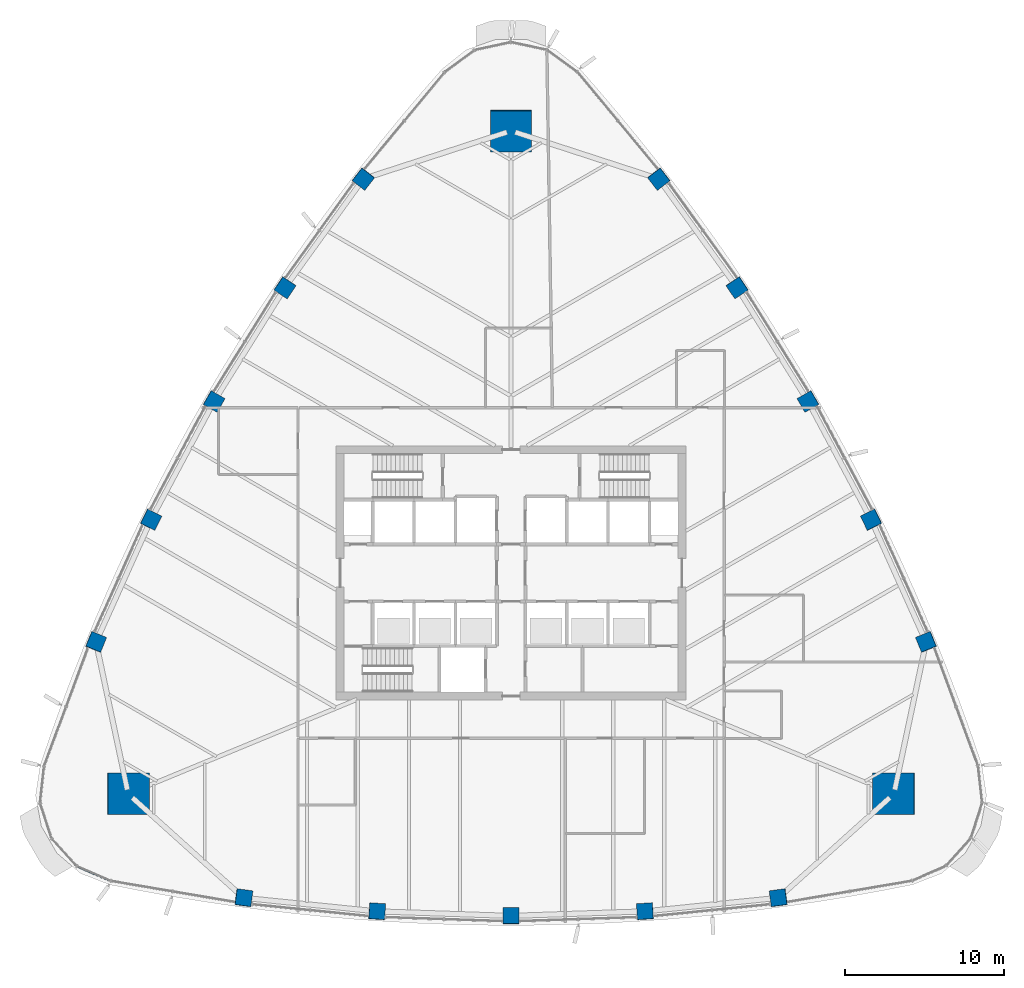
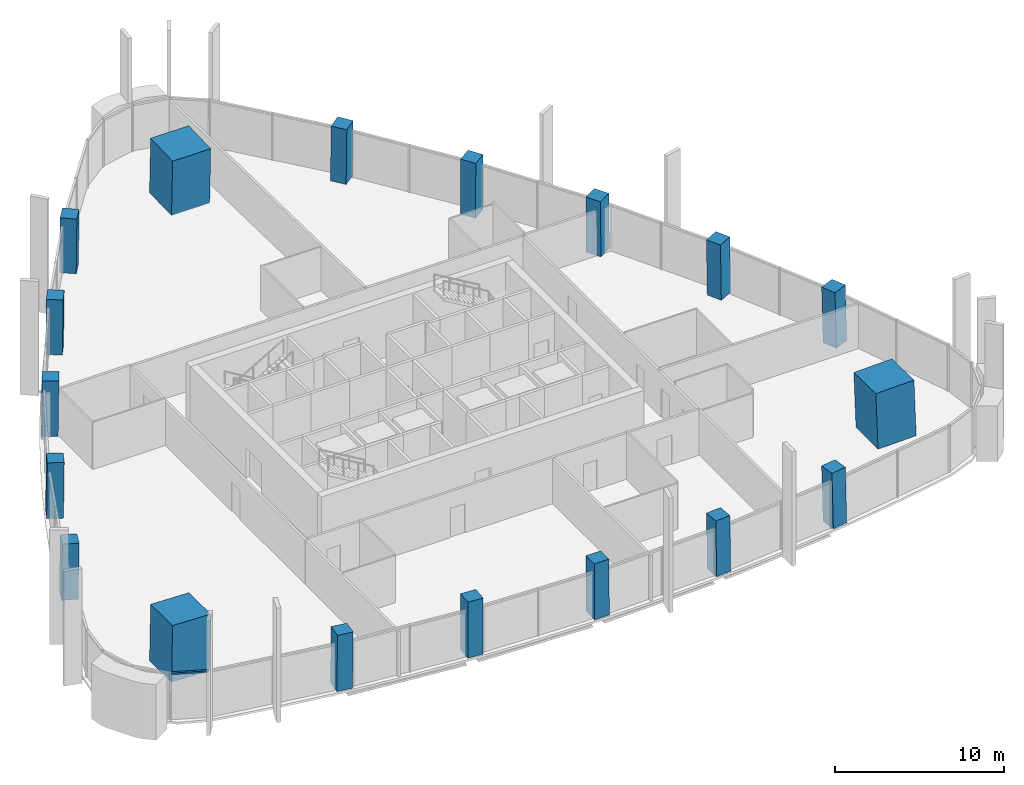
# One storey, part 1 of 20: 18 columns, 1 member, 1 element without a shape of its own.
"""IFC4 building model written with IfcOpenShell, lengths in metres."""

from ifc_helpers import new_model, si_unit, direction, frame, origin, origin_2d, place, context, subcontext, project, spatial, rectangle, extrude, material, layer, layer_set, material_profile, profile_set, type_object, element, aggregate, save


model = new_model("IFC4")

# Units and contexts
model_context = context("Model", 3, precision=1e-05, world=origin(), true_north=direction((0.0, 1.0)))
body_context = subcontext(model_context, "Body", "Model", "MODEL_VIEW")
ifc_project = project(units=[si_unit("LENGTHUNIT", "METRE"), si_unit("AREAUNIT", "SQUARE_METRE"), si_unit("VOLUMEUNIT", "CUBIC_METRE"), si_unit("PLANEANGLEUNIT", "RADIAN"), si_unit("MASSUNIT", "GRAM", prefix="KILO")], contexts=[model_context])

# Site, building, storey
site_placement = place(None, origin())
site = spatial("IfcSite", under=ifc_project, at=site_placement, CompositionType="ELEMENT")
building_placement = place(site_placement, origin())
building = spatial("IfcBuilding", under=site, at=building_placement, Name="Sierra Prisma Convention Tower", CompositionType="ELEMENT")
storey_placement = place(building_placement, frame((0.0, 0.0, 161.800048828125)))
storey = spatial("IfcBuildingStorey", under=building, at=storey_placement, Name="L35", CompositionType="ELEMENT", Elevation=161.800048828125)

# Columns
ifc_material_1 = material(Name="Concrete C60/75", Category="concrete")
ifc_material_profile_1 = material_profile(ifc_material_1, rectangle(XDim=2.60009765625, YDim=2.60009765625, at=origin_2d()), Name="Mega column RC 2600 C60/75")
ifc_profile_set_1 = profile_set([ifc_material_profile_1], Name="Concrete C60/75")
column_type_1 = type_object("IfcColumnType", Name="Mega column RC 2600 C60/75", PredefinedType="COLUMN", material=ifc_profile_set_1)
for number, where, z_axis, x_axis, name in (
    (1, (24.083740234375, -13.90478515625, 0.0), (-0.028000489904, 0.016165860184, 0.999477182096), (0.999607909415, 0.000452829555, 0.027996828039), "Mega column SE L35"),
    (2, (0.0, 27.8095703125, 0.0), (0.0, -0.032392660026, 0.999475220091), (1.0, 0.0, 0.0), "Mega column N L35"),
    (3, (-24.083740234375, -13.90478515625, 0.0), (0.028000489904, 0.016165860184, 0.999477182096), (0.999607909415, -0.000452829555, -0.027996828039), "Mega column SW L35"),
):
    element("IfcColumn", number, at=place(storey_placement, frame(where, z_axis=z_axis, x_axis=x_axis)), inside=storey, type_object=column_type_1, Name=name, PredefinedType="COLUMN", context=body_context, shape_type="SweptSolid", body=[
        extrude(rectangle(XDim=2.60009765625, YDim=2.60009765625, at=origin_2d()), origin(), (0.0, 0.0, 1.0), 4.002197265625),
    ])
ifc_material_2 = material(Name="Concrete C60/75", Category="concrete")
ifc_material_profile_2 = material_profile(ifc_material_2, rectangle(XDim=1.0, YDim=1.0, at=origin_2d()), Name="Perimeter column RC 1000 C60/75")
ifc_profile_set_2 = profile_set([ifc_material_profile_2], Name="Concrete C60/75")
column_type_2 = type_object("IfcColumnType", Name="Perimeter column RC 1000 C60/75", PredefinedType="COLUMN", material=ifc_profile_set_2)
column_1_placement = place(storey_placement, frame((-16.81884765625, -20.43994140625, 0.0), z_axis=(0.017635456472, 0.010434820265, 0.999790030557), x_axis=(-0.990791167808, 0.134441446562, 0.016073557137)))
element("IfcColumn", 4, at=column_1_placement, inside=storey, type_object=column_type_2, Name="Perimeter column S-1 L35", PredefinedType="COLUMN", context=body_context, shape_type="SweptSolid", body=[
    extrude(rectangle(XDim=1.0, YDim=1.0, at=origin_2d()), origin(), (0.0, 0.0, 1.0), 4.000732421875),
])
column_2_placement = place(storey_placement, frame((-8.428466796875, -21.290283203125, 0.0), z_axis=(0.008849199152, 0.01116829962, 0.999898475225), x_axis=(-0.997694684964, 0.06738008669, 0.008077097989)))
element("IfcColumn", 5, at=column_2_placement, inside=storey, type_object=column_type_2, Name="Perimeter column S-2 L35", PredefinedType="COLUMN", context=body_context, shape_type="SweptSolid", body=[
    extrude(rectangle(XDim=1.0, YDim=1.0, at=origin_2d()), origin(), (0.0, 0.0, 1.0), 4.00048828125),
])
column_3_placement = place(storey_placement, frame((0.0, -21.57421875, 0.0), z_axis=(0.0, 0.01141283087, 0.999934871525), x_axis=(1.0, 0.0, 0.0)))
element("IfcColumn", 6, at=column_3_placement, inside=storey, type_object=column_type_2, Name="Perimeter column S-3 L35", PredefinedType="COLUMN", context=body_context, shape_type="SweptSolid", body=[
    extrude(rectangle(XDim=1.0, YDim=1.0, at=origin_2d()), origin(), (0.0, 0.0, 1.0), 4.000244140625),
])
column_4_placement = place(storey_placement, frame((8.428466796875, -21.290283203125, 0.0), z_axis=(-0.008849199152, 0.01116829962, 0.999898475225), x_axis=(0.997694684964, 0.06738008669, 0.008077097989)))
element("IfcColumn", 7, at=column_4_placement, inside=storey, type_object=column_type_2, Name="Perimeter column S-4 L35", PredefinedType="COLUMN", context=body_context, shape_type="SweptSolid", body=[
    extrude(rectangle(XDim=1.0, YDim=1.0, at=origin_2d()), origin(), (0.0, 0.0, 1.0), 4.00048828125),
])
for number, where, z_axis, x_axis, name in (
    (8, (16.81884765625, -20.43994140625, 0.0), (-0.017635456472, 0.010434820265, 0.999790030557), (0.990791167808, 0.134441446562, 0.016073557137), "Perimeter column S-5 L35"),
    (9, (26.111083984375, -4.345458984375, 0.0), (-0.017879535448, 0.010068680372, 0.999789449778), (-0.379133932598, 0.925201775595, -0.016097688918), "Perimeter column NE-1 L35"),
):
    element("IfcColumn", number, at=place(storey_placement, frame(where, z_axis=z_axis, x_axis=x_axis)), inside=storey, type_object=column_type_2, Name=name, PredefinedType="COLUMN", context=body_context, shape_type="SweptSolid", body=[
        extrude(rectangle(XDim=1.0, YDim=1.0, at=origin_2d()), origin(), (0.0, 0.0, 1.0), 4.000732421875),
    ])
column_5_placement = place(storey_placement, frame((22.65234375, 3.345947265625, 0.0), z_axis=(-0.014097689605, 0.002074984617, 0.999898469639), x_axis=(-0.440551988154, 0.897690788492, -0.008074279545)))
element("IfcColumn", 10, at=column_5_placement, inside=storey, type_object=column_type_2, Name="Perimeter column NE-2 L35", PredefinedType="COLUMN", context=body_context, shape_type="SweptSolid", body=[
    extrude(rectangle(XDim=1.0, YDim=1.0, at=origin_2d()), origin(), (0.0, 0.0, 1.0), 4.00048828125),
])
column_6_placement = place(storey_placement, frame((18.683837890625, 10.787109375, 0.0), z_axis=(-0.009887052741, -0.005675900648, 0.999935013058), x_axis=(-0.49997556095, 0.866039512773, -2.7732311e-05)))
element("IfcColumn", 11, at=column_6_placement, inside=storey, type_object=column_type_2, Name="Perimeter column NE-3 L35", PredefinedType="COLUMN", context=body_context, shape_type="SweptSolid", body=[
    extrude(rectangle(XDim=1.0, YDim=1.0, at=origin_2d()), origin(), (0.0, 0.0, 1.0), 4.000244140625),
])
column_7_placement = place(storey_placement, frame((14.223876953125, 17.944580078125, 0.0), z_axis=(-0.005309518067, -0.013243280697, 0.999898207086), x_axis=(-0.557130124569, 0.830386287509, 0.008039764621)))
element("IfcColumn", 12, at=column_7_placement, inside=storey, type_object=column_type_2, Name="Perimeter column NE-4 L35", PredefinedType="COLUMN", context=body_context, shape_type="SweptSolid", body=[
    extrude(rectangle(XDim=1.0, YDim=1.0, at=origin_2d()), origin(), (0.0, 0.0, 1.0), 4.00048828125),
])
for number, where, z_axis, x_axis, name in (
    (13, (9.292236328125, 24.78564453125, 0.0), (-0.000244089295, -0.02050350076, 0.999789751336), (-0.611750710698, 0.790887363995, 0.016070016569), "Perimeter column NE-5 L35"),
    (14, (-9.292236328125, 24.78564453125, 0.0), (0.000244089295, -0.02050350076, 0.999789751336), (0.611750710698, 0.790887363995, 0.016070016569), "Perimeter column NW-1 L35"),
):
    element("IfcColumn", number, at=place(storey_placement, frame(where, z_axis=z_axis, x_axis=x_axis)), inside=storey, type_object=column_type_2, Name=name, PredefinedType="COLUMN", context=body_context, shape_type="SweptSolid", body=[
        extrude(rectangle(XDim=1.0, YDim=1.0, at=origin_2d()), origin(), (0.0, 0.0, 1.0), 4.000732421875),
    ])
column_8_placement = place(storey_placement, frame((-14.223876953125, 17.944580078125, 0.0), z_axis=(0.005309518067, -0.013243280697, 0.999898207086), x_axis=(0.557130124569, 0.830386287509, 0.008039764621)))
element("IfcColumn", 15, at=column_8_placement, inside=storey, type_object=column_type_2, Name="Perimeter column NW-2 L35", PredefinedType="COLUMN", context=body_context, shape_type="SweptSolid", body=[
    extrude(rectangle(XDim=1.0, YDim=1.0, at=origin_2d()), origin(), (0.0, 0.0, 1.0), 4.00048828125),
])
column_9_placement = place(storey_placement, frame((-18.683837890625, 10.787109375, 0.0), z_axis=(0.009887052741, -0.005675900648, 0.999935013058), x_axis=(0.49997556095, 0.866039512773, -2.7732311e-05)))
element("IfcColumn", 16, at=column_9_placement, inside=storey, type_object=column_type_2, Name="Perimeter column NW-3 L35", PredefinedType="COLUMN", context=body_context, shape_type="SweptSolid", body=[
    extrude(rectangle(XDim=1.0, YDim=1.0, at=origin_2d()), origin(), (0.0, 0.0, 1.0), 4.000244140625),
])
column_10_placement = place(storey_placement, frame((-22.65234375, 3.345947265625, 0.0), z_axis=(0.014097689605, 0.002074984617, 0.999898469639), x_axis=(0.440551988154, 0.897690788492, -0.008074279545)))
element("IfcColumn", 17, at=column_10_placement, inside=storey, type_object=column_type_2, Name="Perimeter column NW-4 L35", PredefinedType="COLUMN", context=body_context, shape_type="SweptSolid", body=[
    extrude(rectangle(XDim=1.0, YDim=1.0, at=origin_2d()), origin(), (0.0, 0.0, 1.0), 4.00048828125),
])
column_11_placement = place(storey_placement, frame((-26.111083984375, -4.345458984375, 0.0), z_axis=(0.017879535448, 0.010068680372, 0.999789449778), x_axis=(0.379133932598, 0.925201775595, -0.016097688918)))
element("IfcColumn", 18, at=column_11_placement, inside=storey, type_object=column_type_2, Name="Perimeter column NW-5 L35", PredefinedType="COLUMN", context=body_context, shape_type="SweptSolid", body=[
    extrude(rectangle(XDim=1.0, YDim=1.0, at=origin_2d()), origin(), (0.0, 0.0, 1.0), 4.000732421875),
])

# Curtain wall, member
ifc_material_3 = material(Name="Aluminium and glass curtain wall", Category="aluminium")
ifc_layer = layer(ifc_material_3, 0.179931640625)
ifc_layer_set = layer_set([ifc_layer], Name="CW-1 Plain shaft curtain wall")
curtain_wall_type = type_object("IfcCurtainWallType", Name="CW-1 Plain shaft curtain wall", PredefinedType="NOTDEFINED", material=ifc_layer_set)
curtain_wall_placement = place(storey_placement, origin())
curtain_wall = element("IfcCurtainWall", 19, at=curtain_wall_placement, inside=storey, type_object=curtain_wall_type, Name="CW-1 SW4 L35", PredefinedType="NOTDEFINED")
ifc_material_4 = material(Name="Aluminium 6063-T6 bronze anodised", Category="aluminium")
ifc_material_profile_3 = material_profile(ifc_material_4, rectangle(XDim=0.139892578125, YDim=0.1201171875, at=origin_2d()), Name="ALU TRANSOM 120x140")
ifc_profile_set_3 = profile_set([ifc_material_profile_3], Name="Aluminium 6063-T6 bronze anodised")
member_type = type_object("IfcMemberType", Name="CW transom bronze", PredefinedType="USERDEFINED", material=ifc_profile_set_3)
member_placement = place(storey_placement, frame((-27.281982421875, -18.458251953125, 3.33984375), z_axis=(0.915800383428, -0.401633735776, 0.0), x_axis=(0.401633735776, 0.915800383428, 0.0)))
member = element("IfcMember", 20, at=member_placement, type_object=member_type, Name="CW-1 transom SW4.1", ObjectType="TRANSOM", PredefinedType="USERDEFINED", context=body_context, shape_type="SweptSolid", body=[
    extrude(rectangle(XDim=0.139892578125, YDim=0.1201171875, at=origin_2d()), origin(), (0.0, 0.0, 1.0), 2.199951171875),
])
aggregate(curtain_wall, [member])

save(model, "model.ifc")
